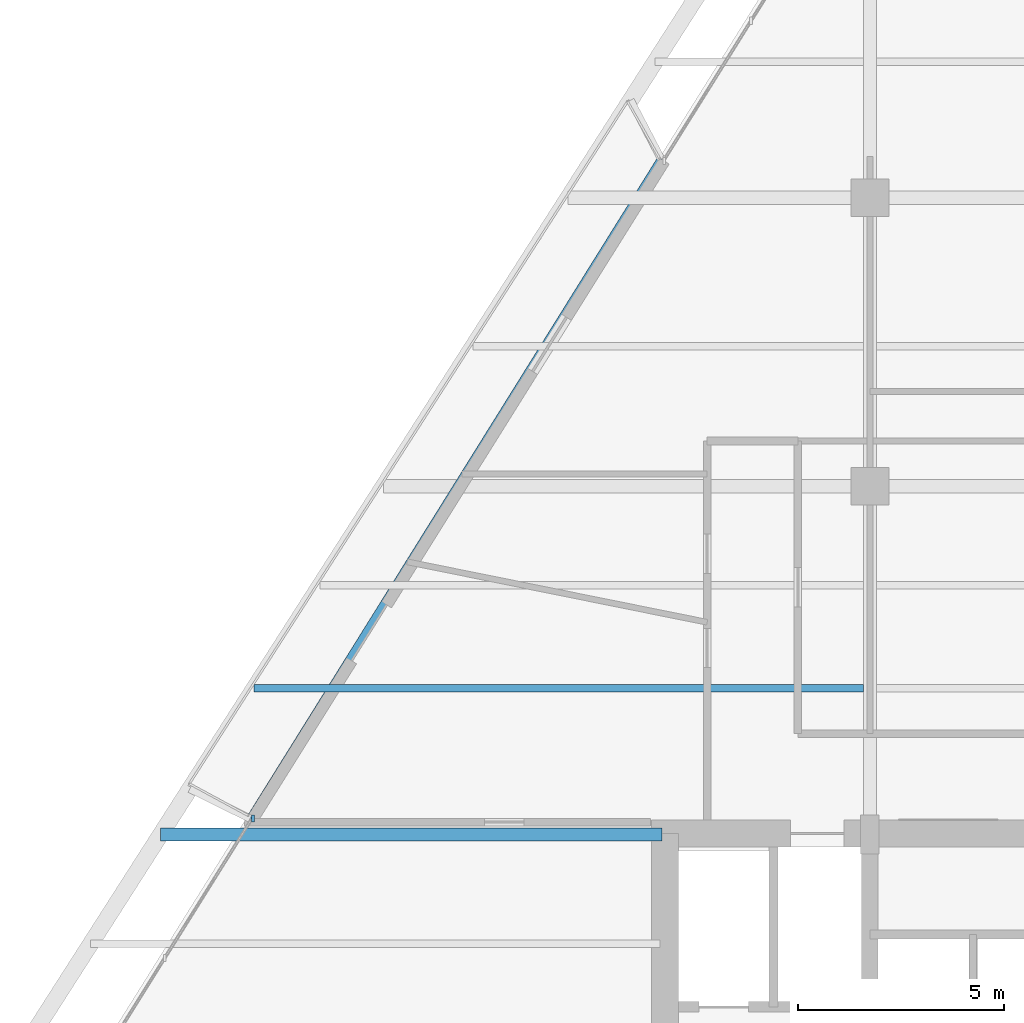
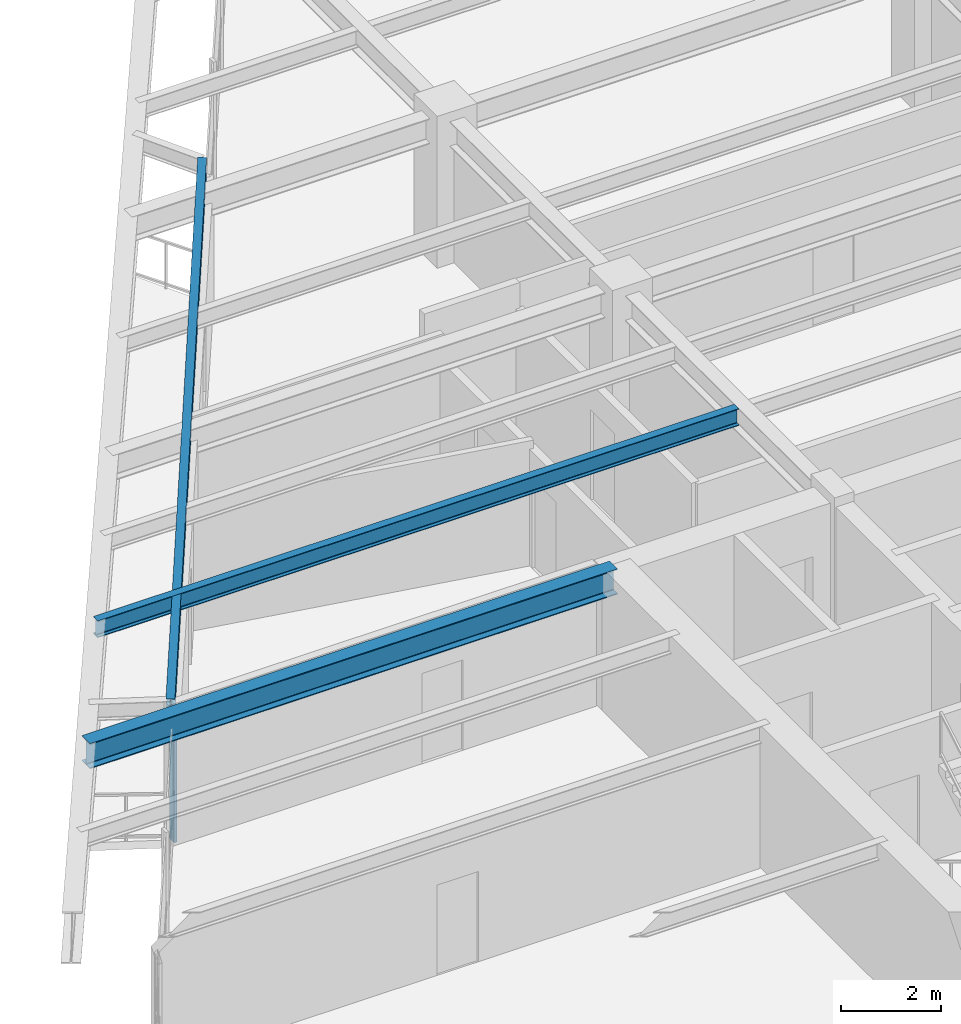
# One storey, part 4 of 15: 3 beams, 1 member, 1 element without a shape of its own.
"""IFC4 building model written with IfcOpenShell, lengths in metres."""

from ifc_helpers import new_model, si_unit, direction, frame, origin, origin_2d, place, context, subcontext, project, spatial, rectangle, i_section, extrude, source, transform, mapped, material, material_profile, profile_set, type_object, element, aggregate, save


model = new_model("IFC4")

# Units and contexts
model_context = context("Model", 3, precision=1e-05, world=origin(), true_north=direction((0.0, 1.0)))
body_context = subcontext(model_context, "Body", "Model", "MODEL_VIEW")
ifc_project = project(units=[si_unit("LENGTHUNIT", "METRE"), si_unit("AREAUNIT", "SQUARE_METRE"), si_unit("VOLUMEUNIT", "CUBIC_METRE"), si_unit("PLANEANGLEUNIT", "RADIAN"), si_unit("MASSUNIT", "GRAM", prefix="KILO")], contexts=[model_context])

# Site, building, storey
site_placement = place(None, origin())
site = spatial("IfcSite", under=ifc_project, at=site_placement, CompositionType="ELEMENT")
building_placement = place(site_placement, origin())
building = spatial("IfcBuilding", under=site, at=building_placement, Name="Varnakhor Terracotta Tower", CompositionType="ELEMENT")
storey_placement = place(building_placement, frame((0.0, 0.0, 178.39990234375)))
storey = spatial("IfcBuildingStorey", under=building, at=storey_placement, Name="L45", CompositionType="ELEMENT", Elevation=178.39990234375)

# Beams
ifc_material_1 = material(Name="Steel S355", Category="steel")
ifc_material_profile_1 = material_profile(ifc_material_1, i_section(OverallWidth=0.179931640625, OverallDepth=0.39990234375, WebThickness=0.008544921875, FlangeThickness=0.013427734375, FilletRadius=0.01806640625, at=origin_2d()), Name="IPE400")
ifc_profile_set_1 = profile_set([ifc_material_profile_1], Name="Steel S355")
beam_type_1 = type_object("IfcBeamType", Name="JST-IPE400", PredefinedType="JOIST", material=ifc_profile_set_1)
shared_shape_1 = source(origin(), body_context, "Body", "SweptSolid", [
    extrude(i_section(OverallWidth=0.179931640625, OverallDepth=0.39990234375, WebThickness=0.008544921875, FlangeThickness=0.013427734375, FilletRadius=0.01806640625, at=origin_2d()), origin(), (0.0, 0.0, 1.0), 18.86279296875),
])
beam_1_placement = place(storey_placement, frame((-10.56591796875, 32.44482421875, 3.27001953125), z_axis=(-0.528852488291, -0.848713759538, 0.0), x_axis=(0.848713759538, -0.528852488291, 0.0)))
element("IfcBeam", 1, at=beam_1_placement, inside=storey, type_object=beam_type_1, Name="L45 Loggia Edge Beam 2", PredefinedType="JOIST", context=body_context, shape_type="MappedRepresentation", body=[
    mapped(shared_shape_1, transform((0.0, 0.0, 0.0), scale=1.0)),
])
ifc_material_profile_2 = material_profile(ifc_material_1, i_section(OverallWidth=0.324951171875, OverallDepth=0.615966796875, WebThickness=0.013916015625, FlangeThickness=0.02197265625, FilletRadius=0.01806640625, at=origin_2d()), Name="W24X117")
ifc_profile_set_2 = profile_set([ifc_material_profile_2], Name="Steel S355")
beam_type_2 = type_object("IfcBeamType", Name="BM-W24X117", PredefinedType="BEAM", material=ifc_profile_set_2)
shared_shape_2 = source(origin(), body_context, "Body", "SweptSolid", [
    extrude(i_section(OverallWidth=0.324951171875, OverallDepth=0.615966796875, WebThickness=0.013916015625, FlangeThickness=0.02197265625, FilletRadius=0.01806640625, at=origin_2d()), origin(), (0.0, 0.0, 1.0), 12.161865234375),
])
beam_2_placement = place(storey_placement, frame((-22.7119140625, 16.050048828125, 3.162109375), z_axis=(1.0, 0.0, 0.0), x_axis=(0.0, 1.0, 0.0)))
element("IfcBeam", 2, at=beam_2_placement, inside=storey, type_object=beam_type_2, Name="L45 Wing Girder W", PredefinedType="BEAM", context=body_context, shape_type="MappedRepresentation", body=[
    mapped(shared_shape_2, transform((0.0, 0.0, 0.0), scale=1.0)),
])
ifc_material_profile_3 = material_profile(ifc_material_1, i_section(OverallWidth=0.179931640625, OverallDepth=0.4130859375, WebThickness=0.009765625, FlangeThickness=0.01611328125, FilletRadius=0.01806640625, at=origin_2d()), Name="W16X50")
ifc_profile_set_3 = profile_set([ifc_material_profile_3], Name="Steel S355")
beam_type_3 = type_object("IfcBeamType", Name="JST-W16X50", PredefinedType="JOIST", material=ifc_profile_set_3)
shared_shape_3 = source(origin(), body_context, "Body", "SweptSolid", [
    extrude(i_section(OverallWidth=0.179931640625, OverallDepth=0.4130859375, WebThickness=0.009765625, FlangeThickness=0.01611328125, FilletRadius=0.01806640625, at=origin_2d()), origin(), (0.0, 0.0, 1.0), 14.78173828125),
])
beam_3_placement = place(storey_placement, frame((-20.440185546875, 19.60009765625, 3.263671875), z_axis=(1.0, 0.0, 0.0), x_axis=(0.0, 1.0, 0.0)))
element("IfcBeam", 3, at=beam_3_placement, inside=storey, type_object=beam_type_3, Name="L45 Composite Floor Joist 4-1", PredefinedType="JOIST", context=body_context, shape_type="MappedRepresentation", body=[
    mapped(shared_shape_3, transform((0.0, 0.0, 0.0), scale=1.0)),
])

# Curtain wall, member
ifc_material_2 = material(Name="Anodised Aluminium Curtain Wall System", Category="aluminium")
curtain_wall_type = type_object("IfcCurtainWallType", Name="CW-SYS-MID-OFFICE", PredefinedType="NOTDEFINED", material=ifc_material_2)
curtain_wall_placement = place(storey_placement, origin())
curtain_wall = element("IfcCurtainWall", 4, at=curtain_wall_placement, inside=storey, type_object=curtain_wall_type, Name="L45 W Facet Curtain Wall 1", PredefinedType="NOTDEFINED")
ifc_material_3 = material(Name="Anodised Aluminium 6063-T6", Category="aluminium")
ifc_material_profile_4 = material_profile(ifc_material_3, rectangle(XDim=0.070068359375, YDim=0.175048828125, at=origin_2d()), Name="ALU MULLION 70x175")
ifc_profile_set_4 = profile_set([ifc_material_profile_4], Name="Anodised Aluminium 6063-T6")
member_type = type_object("IfcMemberType", Name="CWM-03", PredefinedType="MULLION", material=ifc_profile_set_4)
shared_shape_4 = source(origin(), body_context, "Body", "SweptSolid", [
    extrude(rectangle(XDim=0.070068359375, YDim=0.175048828125, at=origin_2d()), origin(), (0.0, 0.0, 1.0), 3.050048828125),
])
member_placement = place(storey_placement, frame((-20.471435546875, 16.43798828125, 0.0), z_axis=(0.0, 0.0, 1.0), x_axis=(1.0, 0.0, 0.0)))
member = element("IfcMember", 5, at=member_placement, type_object=member_type, Name="L45 W Loggia Jamb Closure Mullion 1", PredefinedType="MULLION", context=body_context, shape_type="MappedRepresentation", body=[
    mapped(shared_shape_4, transform((0.0, 0.0, 0.0), scale=1.0)),
])
aggregate(curtain_wall, [member])

save(model, "model.ifc")
